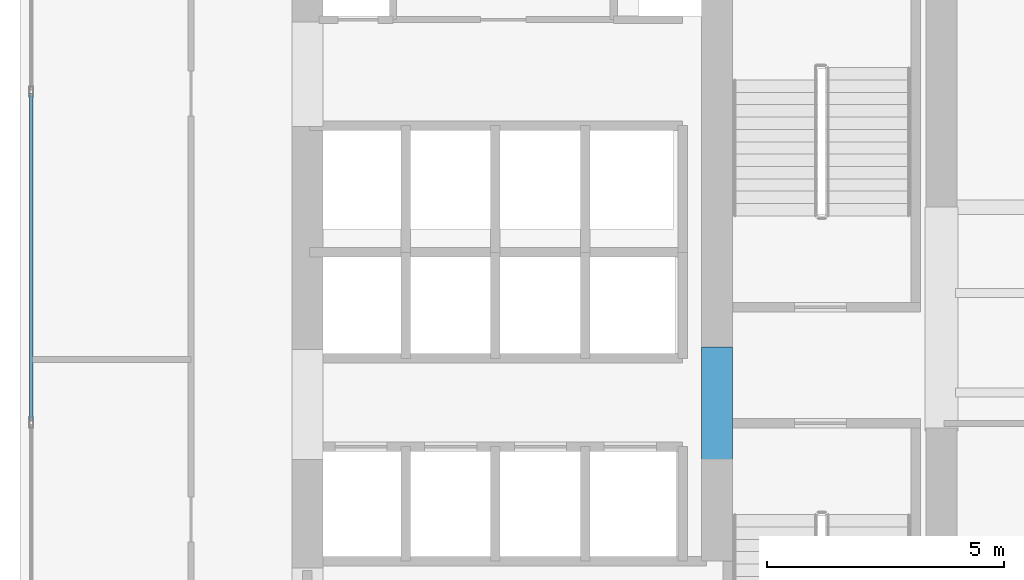
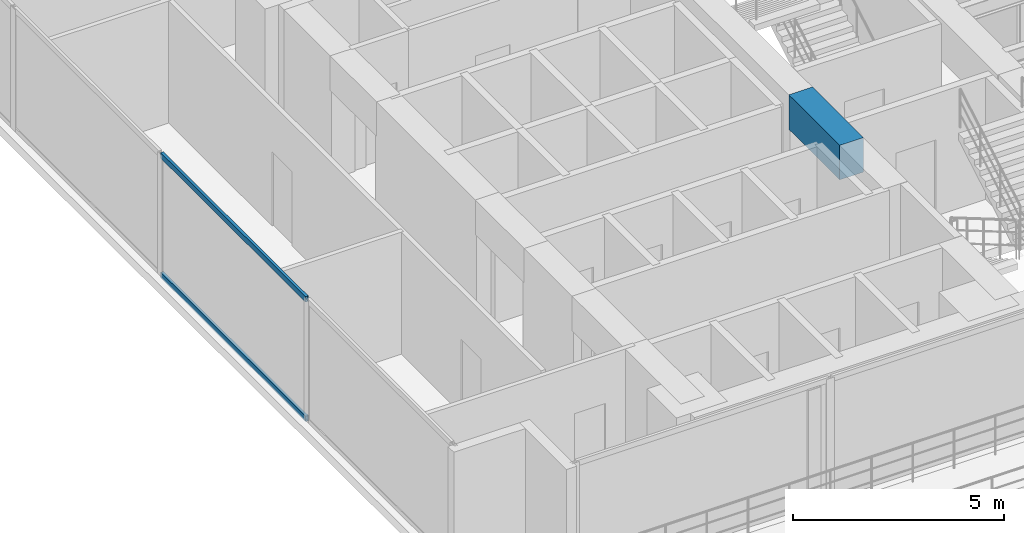
# One storey, part 3 of 26: 2 members, 1 beam, 1 element without a shape of its own.
"""IFC4 building model written with IfcOpenShell, lengths in metres."""

from ifc_helpers import new_model, si_unit, direction, frame, origin, origin_with_axes, origin_2d, place, context, subcontext, project, spatial, rectangle, hollow_rectangle, extrude, source, transform, mapped, material, layer, layer_set, material_profile, profile_set, type_object, element, aggregate, save


model = new_model("IFC4")

# Units and contexts
model_context = context("Model", 3, precision=1e-05, world=origin(), true_north=direction((0.0, 1.0)))
body_context = subcontext(model_context, "Body", "Model", "MODEL_VIEW")
ifc_project = project(units=[si_unit("LENGTHUNIT", "METRE"), si_unit("AREAUNIT", "SQUARE_METRE"), si_unit("VOLUMEUNIT", "CUBIC_METRE"), si_unit("PLANEANGLEUNIT", "RADIAN"), si_unit("MASSUNIT", "GRAM", prefix="KILO")], contexts=[model_context])

# Site, building, storey
site_placement = place(None, origin())
site = spatial("IfcSite", under=ifc_project, at=site_placement, CompositionType="ELEMENT")
building_placement = place(site_placement, origin())
building = spatial("IfcBuilding", under=site, at=building_placement, Name="Kolvaren Waterfront Exchange", CompositionType="ELEMENT")
storey_placement = place(building_placement, frame((0.0, 0.0, 87.89990234375)))
storey = spatial("IfcBuildingStorey", under=building, at=storey_placement, Name="L22", CompositionType="ELEMENT", Elevation=87.89990234375)

# Beam
ifc_material_1 = material(Name="Concrete C60/75", Category="concrete")
ifc_material_profile_1 = material_profile(ifc_material_1, rectangle(XDim=0.64990234375, YDim=1.0, at=origin_2d()), Name="RC-CB-1000x650")
ifc_profile_set_1 = profile_set([ifc_material_profile_1], Name="Concrete C60/75")
beam_type = type_object("IfcBeamType", Name="STR-CB-1000", PredefinedType="SPANDREL", material=ifc_profile_set_1)
beam_placement = place(storey_placement, frame((16.074951171875, 12.0400390625, 3.0400390625), z_axis=(0.0, 1.0, 0.0), x_axis=(-1.0, 0.0, 0.0)))
element("IfcBeam", 1, at=beam_placement, inside=storey, type_object=beam_type, Name="L22 core coupling beam 6", PredefinedType="SPANDREL", context=body_context, shape_type="SweptSolid", body=[
    extrude(rectangle(XDim=0.64990234375, YDim=1.0, at=origin_2d()), origin(), (0.0, 0.0, 1.0), 2.419921875),
])

# Curtain wall, members
ifc_material_2 = material(Name="Anodised aluminium 6063-T6", Category="aluminium")
ifc_layer = layer(ifc_material_2, 0.219970703125, Name="Anodised aluminium 6063-T6")
ifc_layer_set = layer_set([ifc_layer], Name="Anodised aluminium 6063-T6")
curtain_wall_type = type_object("IfcCurtainWallType", Name="ARC-CW-SYS2", PredefinedType="USERDEFINED", material=ifc_layer_set)
curtain_wall_placement = place(storey_placement, origin())
curtain_wall = element("IfcCurtainWall", 2, at=curtain_wall_placement, inside=storey, type_object=curtain_wall_type, Name="L22 stick curtain wall CW2 (CW-L22-W)", ObjectType="STICK CURTAIN WALL", PredefinedType="USERDEFINED")
ifc_material_profile_2 = material_profile(ifc_material_2, hollow_rectangle(XDim=0.074951171875, YDim=0.159912109375, WallThickness=0.00439453125, at=origin_2d()), Name="ALU-TRN-160x75x4.5")
ifc_profile_set_2 = profile_set([ifc_material_profile_2], Name="Anodised aluminium 6063-T6")
member_type = type_object("IfcMemberType", Name="ARC-CWT-160", PredefinedType="USERDEFINED", material=ifc_profile_set_2)
shared_shape = source(origin_with_axes(), body_context, "Body", "SweptSolid", [
    extrude(hollow_rectangle(XDim=0.074951171875, YDim=0.159912109375, WallThickness=0.00439453125, at=origin_2d()), origin(), (0.0, 0.0, 1.0), 6.886474609375),
])
member_1_placement = place(storey_placement, frame((1.639892578125, 12.90673828125, 0.03759765625), z_axis=(0.0, 1.0, 0.0), x_axis=(-1.0, 0.0, 0.0)))
member_1 = element("IfcMember", 3, at=member_1_placement, type_object=member_type, Name="CW2 transom 2.1", ObjectType="TRANSOM", PredefinedType="USERDEFINED", context=body_context, shape_type="MappedRepresentation", body=[
    mapped(shared_shape, transform((0.0, 0.0, 0.0), x_axis=(1.0, 0.0, 0.0), y_axis=(0.0, 1.0, 0.0), z_axis=(0.0, 0.0, 1.0), scale=1.0)),
])
member_2_placement = place(storey_placement, frame((1.639892578125, 12.90673828125, 3.502685546875), z_axis=(0.0, 1.0, 0.0), x_axis=(-1.0, 0.0, 0.0)))
member_2 = element("IfcMember", 4, at=member_2_placement, type_object=member_type, Name="CW2 transom 2.2", ObjectType="TRANSOM", PredefinedType="USERDEFINED", context=body_context, shape_type="MappedRepresentation", body=[
    mapped(shared_shape, transform((0.0, 0.0, 0.0), x_axis=(1.0, 0.0, 0.0), y_axis=(0.0, 1.0, 0.0), z_axis=(0.0, 0.0, 1.0), scale=1.0)),
])
aggregate(curtain_wall, [member_1, member_2])

save(model, "model.ifc")
